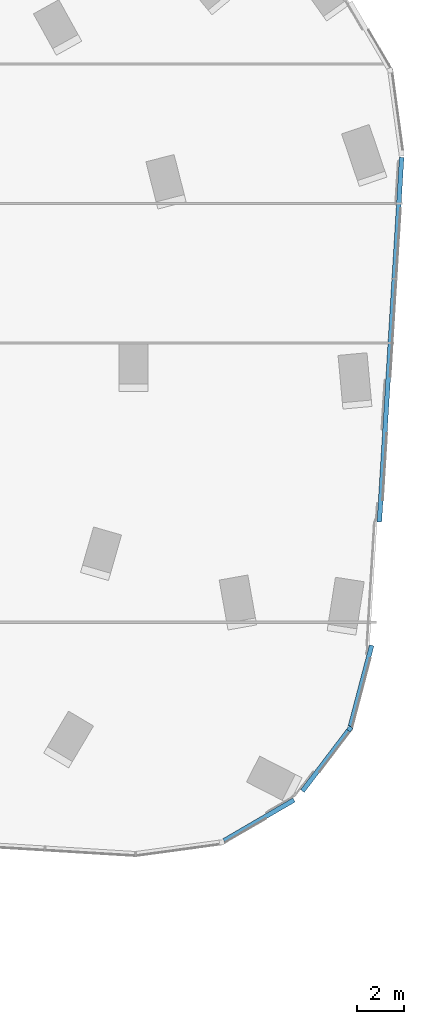
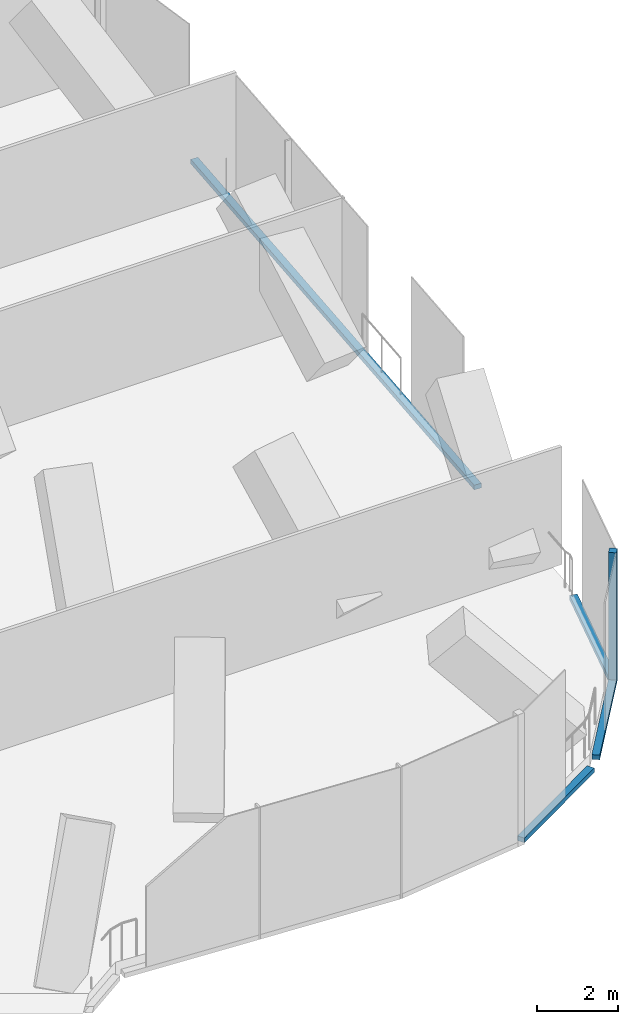
# One storey, part 8 of 28: 5 members, 4 elements without a shape of their own.
"""IFC4 building model written with IfcOpenShell, lengths in metres."""

from ifc_helpers import new_model, si_unit, direction, frame, origin, origin_2d, place, context, subcontext, project, spatial, rectangle, extrude, material, material_profile, profile_set, type_object, element, aggregate, save


model = new_model("IFC4")

# Units and contexts
model_context = context("Model", 3, precision=1e-05, world=origin(), true_north=direction((0.0, 1.0)))
body_context = subcontext(model_context, "Body", "Model", "MODEL_VIEW")
ifc_project = project(units=[si_unit("LENGTHUNIT", "METRE"), si_unit("AREAUNIT", "SQUARE_METRE"), si_unit("VOLUMEUNIT", "CUBIC_METRE"), si_unit("PLANEANGLEUNIT", "RADIAN"), si_unit("MASSUNIT", "GRAM", prefix="KILO")], contexts=[model_context])

# Site, building, storey
site_placement = place(None, origin())
site = spatial("IfcSite", under=ifc_project, at=site_placement, CompositionType="ELEMENT")
building_placement = place(site_placement, origin())
building = spatial("IfcBuilding", under=site, at=building_placement, Name="Orlundy Tower", CompositionType="ELEMENT")
storey_placement = place(building_placement, frame((0.0, 0.0, 163.10009765625)))
storey = spatial("IfcBuildingStorey", under=building, at=storey_placement, Name="L42", CompositionType="ELEMENT", Elevation=163.10009765625)

# Curtain wall, member
ifc_material_1 = material(Name="Aluminium bronze anodised", Category="aluminium")
curtain_wall_type = type_object("IfcCurtainWallType", Name="CW5 wall", PredefinedType="NOTDEFINED", material=ifc_material_1)
curtain_wall_1_placement = place(storey_placement, origin())
curtain_wall_1 = element("IfcCurtainWall", 1, at=curtain_wall_1_placement, inside=storey, type_object=curtain_wall_type, Name="CW5 run 025", PredefinedType="NOTDEFINED")
ifc_material_2 = material(Name="Aluminium bronze anodised", Category="aluminium")
ifc_material_profile_1 = material_profile(ifc_material_2, rectangle(XDim=0.199951171875, YDim=0.199951171875, at=origin_2d()), Name="CW5 corner post 200x200")
ifc_profile_set_1 = profile_set([ifc_material_profile_1], Name="Aluminium bronze anodised")
member_type_1 = type_object("IfcMemberType", Name="CW5 corner post 200x200", PredefinedType="MULLION", material=ifc_profile_set_1)
member_1_placement = place(storey_placement, frame((38.931640625, -16.581787109375, -0.400146484375), z_axis=(0.0, 0.0, 1.0), x_axis=(0.796001033516, -0.605295262364, 0.0)))
member_1 = element("IfcMember", 2, at=member_1_placement, type_object=member_type_1, Name="CW5 mullion 36", PredefinedType="MULLION", context=body_context, shape_type="SweptSolid", body=[
    extrude(rectangle(XDim=0.199951171875, YDim=0.199951171875, at=origin_2d()), origin(), (0.0, 0.0, 1.0), 3.97998046875),
])

curtain_wall_2_placement = place(storey_placement, origin())
curtain_wall_2 = element("IfcCurtainWall", 3, at=curtain_wall_2_placement, inside=storey, type_object=curtain_wall_type, Name="CW5 run 023", PredefinedType="NOTDEFINED")
ifc_material_3 = material(Name="Aluminium bronze anodised", Category="aluminium")
ifc_material_profile_2 = material_profile(ifc_material_3, rectangle(XDim=0.199951171875, YDim=0.139892578125, at=origin_2d()), Name="CW5 transom 200x140")
ifc_profile_set_2 = profile_set([ifc_material_profile_2], Name="Aluminium bronze anodised")
member_type_2 = type_object("IfcMemberType", Name="CW5 transom 200x140", PredefinedType="USERDEFINED", material=ifc_profile_set_2)
member_2_placement = place(storey_placement, frame((41.163818359375, 7.986572265625, -0.330078125), z_axis=(-0.061044024676, -0.998135074552, 0.0), x_axis=(0.998135074552, -0.061044024676, 0.0)))
member_2 = element("IfcMember", 4, at=member_2_placement, type_object=member_type_2, Name="CW5 transom", ObjectType="TRANSOM", PredefinedType="USERDEFINED", context=body_context, shape_type="SweptSolid", body=[
    extrude(rectangle(XDim=0.199951171875, YDim=0.139892578125, at=origin_2d()), origin(), (0.0, 0.0, 1.0), 15.709716796875),
])
aggregate(curtain_wall_2, [member_2])

curtain_wall_3_placement = place(storey_placement, origin())
curtain_wall_3 = element("IfcCurtainWall", 5, at=curtain_wall_3_placement, inside=storey, type_object=curtain_wall_type, Name="CW5 run 024", PredefinedType="NOTDEFINED")
member_3_placement = place(storey_placement, frame((39.875732421875, -12.9931640625, -0.330078125), z_axis=(-0.254413237046, -0.967095602728, 0.0), x_axis=(0.967095602728, -0.254413237046, 0.0)))
member_3 = element("IfcMember", 6, at=member_3_placement, type_object=member_type_2, Name="CW5 transom", ObjectType="TRANSOM", PredefinedType="USERDEFINED", context=body_context, shape_type="SweptSolid", body=[
    extrude(rectangle(XDim=0.199951171875, YDim=0.139892578125, at=origin_2d()), origin(), (0.0, 0.0, 1.0), 3.6025390625),
])
aggregate(curtain_wall_3, [member_3])

# Member
member_4_placement = place(storey_placement, frame((38.87109375, -16.661376953125, -0.330078125), z_axis=(-0.605307323097, -0.795991862147, 0.0), x_axis=(0.795991862147, -0.605307323097, 0.0)))
member_4 = element("IfcMember", 7, at=member_4_placement, type_object=member_type_2, Name="CW5 transom", ObjectType="TRANSOM", PredefinedType="USERDEFINED", context=body_context, shape_type="SweptSolid", body=[
    extrude(rectangle(XDim=0.199951171875, YDim=0.139892578125, at=origin_2d()), origin(), (0.0, 0.0, 1.0), 3.259765625),
])

aggregate(curtain_wall_1, [member_1, member_4])

# Curtain wall, member
curtain_wall_4_placement = place(storey_placement, origin())
curtain_wall_4 = element("IfcCurtainWall", 8, at=curtain_wall_4_placement, inside=storey, type_object=curtain_wall_type, Name="CW5 run 026", PredefinedType="NOTDEFINED")
member_5_placement = place(storey_placement, frame((36.53564453125, -19.638916015625, -0.330078125), z_axis=(-0.863857542917, -0.503736186456, 0.0), x_axis=(0.503736186456, -0.863857542917, 0.0)))
member_5 = element("IfcMember", 9, at=member_5_placement, type_object=member_type_2, Name="CW5 transom", ObjectType="TRANSOM", PredefinedType="USERDEFINED", context=body_context, shape_type="SweptSolid", body=[
    extrude(rectangle(XDim=0.199951171875, YDim=0.139892578125, at=origin_2d()), origin(), (0.0, 0.0, 1.0), 3.489990234375),
])
aggregate(curtain_wall_4, [member_5])

save(model, "model.ifc")
